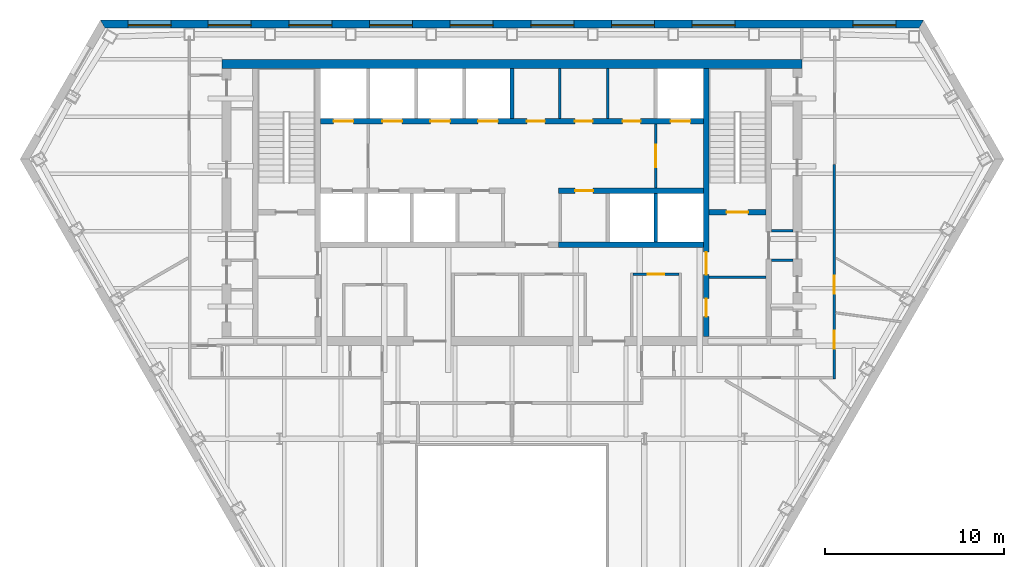
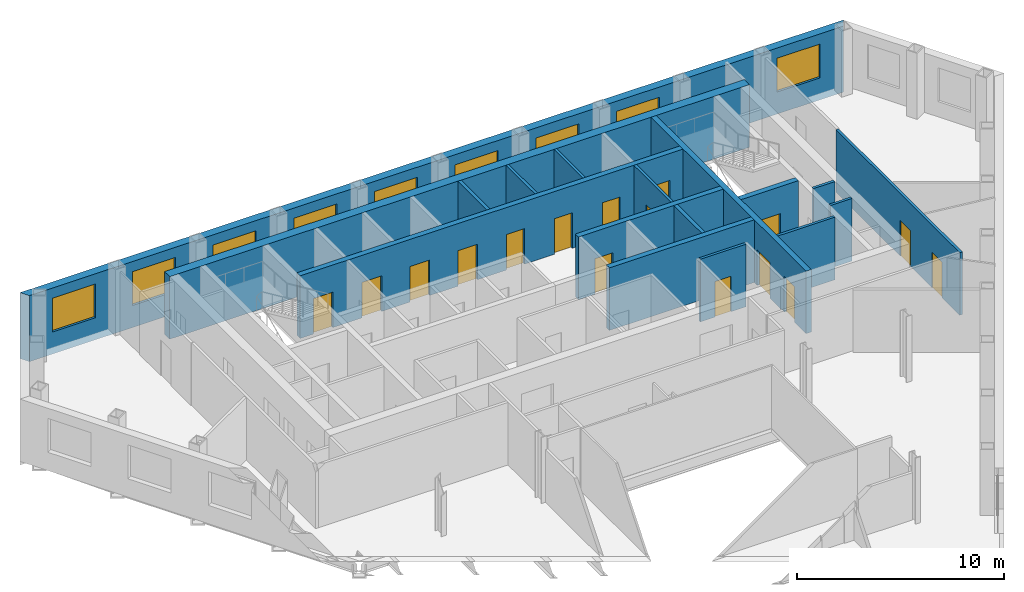
# One storey, part 7 of 11: 17 walls, 16 doors, 9 windows, 25 openings.
"""IFC4 building model written with IfcOpenShell, lengths in metres."""

from ifc_helpers import new_model, si_unit, direction, frame, frame_2d, origin, place, context, subcontext, project, spatial, polyline, rectangle, outline, extrude, material, layer, layer_set, type_object, element, fill, save


model = new_model("IFC4")

# Units and contexts
model_context = context("Model", 3, precision=1e-05, world=origin(), true_north=direction((0.0, 1.0)))
body_context = subcontext(model_context, "Body", "Model", "MODEL_VIEW")
ifc_project = project(units=[si_unit("LENGTHUNIT", "METRE"), si_unit("AREAUNIT", "SQUARE_METRE"), si_unit("VOLUMEUNIT", "CUBIC_METRE"), si_unit("PLANEANGLEUNIT", "RADIAN"), si_unit("MASSUNIT", "GRAM", prefix="KILO")], contexts=[model_context])

# Site, building, storey
site_placement = place(None, origin())
site = spatial("IfcSite", under=ifc_project, at=site_placement, CompositionType="ELEMENT")
building_placement = place(site_placement, origin())
building = spatial("IfcBuilding", under=site, at=building_placement, Name="Njiva Tower", CompositionType="ELEMENT")
storey_placement = place(building_placement, frame((0.0, 0.0, 139.8)))
storey = spatial("IfcBuildingStorey", under=building, at=storey_placement, Name="L29", CompositionType="ELEMENT", Elevation=139.8)

# Walls
ifc_material_1 = material(Name="Blockwork", Category="masonry")
ifc_layer_1 = layer(ifc_material_1, 0.15)
ifc_layer_set_1 = layer_set([ifc_layer_1], Name="Blockwork")
wall_type_1 = type_object("IfcWallType", Name="WT1 Compartment partition 150", PredefinedType="PARTITIONING", material=ifc_layer_set_1)
for number, where, z_axis, x_axis, name in (
    (1, (2.675, 14.7, 0.0), (0.0, 0.0, 1.0), (0.0, 1.0, 0.0), "Partition CN5"),
    (2, (5.35, 14.7, 0.0), (0.0, 0.0, 1.0), (0.0, 1.0, 0.0), "Partition CN6"),
):
    element("IfcWall", number, at=place(storey_placement, frame(where, z_axis=z_axis, x_axis=x_axis)), inside=storey, type_object=wall_type_1, Name=name, PredefinedType="PARTITIONING", context=body_context, shape_type="SweptSolid", body=[
        extrude(rectangle(XDim=2.8, YDim=0.15, at=frame_2d((1.4, 0.0))), origin(), (0.0, 0.0, 1.0), 3.7),
    ])
wall_1_placement = place(storey_placement, frame((11.0, 5.825, 0.0), z_axis=(0.0, 0.0, 1.0), x_axis=(1.0, 0.0, 0.0)))
element("IfcWall", 3, at=wall_1_placement, inside=storey, type_object=wall_type_1, Name="Room wall B", PredefinedType="PARTITIONING", context=body_context, shape_type="SweptSolid", body=[
    extrude(rectangle(XDim=3.2, YDim=0.15, at=frame_2d((1.6, 0.0))), origin(), (0.0, 0.0, 1.0), 3.7),
])

# Wall, opening, door
wall_2_placement = place(storey_placement, frame((6.775, 6.0, 0.0), z_axis=(0.0, 0.0, 1.0), x_axis=(1.0, 0.0, 0.0)))
wall_2 = element("IfcWall", 4, at=wall_2_placement, inside=storey, type_object=wall_type_1, Name="Information office wall north", PredefinedType="PARTITIONING", context=body_context, shape_type="SweptSolid", body=[
    extrude(rectangle(XDim=2.55, YDim=0.15, at=frame_2d((1.275, 0.0))), origin(), (0.0, 0.0, 1.0), 3.7),
])
opening_1_placement = place(wall_2_placement, frame((0.825, 0.0, 0.0)))
opening_1 = element("IfcOpeningElement", 5, at=opening_1_placement, cuts=wall_2, Name="Opening S10-D937", PredefinedType="OPENING", context=body_context, shape_type="SweptSolid", body=[
    extrude(rectangle(XDim=0.9, YDim=2.1, at=frame_2d((0.45, 1.05))), frame((0.0, 0.085, 0.0), z_axis=(0.0, -1.0, 0.0), x_axis=(1.0, 0.0, 0.0)), (0.0, 0.0, 1.0), 0.17),
])
ifc_material_2 = material(Name="Steel fire door, painted", Category="steel")
door_type_1 = type_object("IfcDoorType", Name="D6 Fire-rated door 900x2100", OperationType="SINGLE_SWING_LEFT", PredefinedType="DOOR", material=ifc_material_2)
door_1_placement = place(opening_1_placement, origin())
door_1 = element("IfcDoor", 6, at=door_1_placement, inside=storey, type_object=door_type_1, Name="Information office door", OperationType="SINGLE_SWING_RIGHT", OverallHeight=2.1, OverallWidth=0.9, PredefinedType="DOOR", context=body_context, shape_type="SweptSolid", body=[
    extrude(rectangle(XDim=0.9, YDim=2.1, at=frame_2d((0.45, 1.05))), frame((0.0, 0.025, 0.0), z_axis=(0.0, -1.0, 0.0), x_axis=(1.0, 0.0, 0.0)), (0.0, 0.0, 1.0), 0.05),
])
fill(opening_1, door_1)

# Wall, openings, doors
ifc_material_3 = material(Name="Concrete C40/50", Category="concrete")
ifc_layer_2 = layer(ifc_material_3, 0.3)
ifc_layer_set_2 = layer_set([ifc_layer_2], Name="Concrete C40/50")
wall_type_2 = type_object("IfcWallType", Name="WT10 Stair enclosure wall 300", PredefinedType="SHEAR", material=ifc_layer_set_2)
wall_3_placement = place(storey_placement, frame((10.85, 2.5, 0.0), z_axis=(0.0, 0.0, 1.0), x_axis=(0.0, 1.0, 0.0)))
wall_3 = element("IfcWall", 7, at=wall_3_placement, inside=storey, type_object=wall_type_2, Name="Stair wall east inner", PredefinedType="SHEAR", context=body_context, shape_type="SweptSolid", body=[
    extrude(rectangle(XDim=15.0, YDim=0.3, at=frame_2d((7.5, 0.0))), origin(), (0.0, 0.0, 1.0), 3.7),
])
opening_2_placement = place(wall_3_placement, frame((3.475, 0.0, 0.0)))
opening_2 = element("IfcOpeningElement", 8, at=opening_2_placement, cuts=wall_3, Name="Opening S10-D920", PredefinedType="OPENING", context=body_context, shape_type="SweptSolid", body=[
    extrude(rectangle(XDim=1.25, YDim=2.1, at=frame_2d((0.625, 1.05))), frame((0.0, 0.16, 0.0), z_axis=(0.0, -1.0, 0.0), x_axis=(1.0, 0.0, 0.0)), (0.0, 0.0, 1.0), 0.32),
])
opening_3_placement = place(wall_3_placement, frame((1.125, 0.0, 0.0)))
opening_3 = element("IfcOpeningElement", 9, at=opening_3_placement, cuts=wall_3, Name="Opening S10-D921", PredefinedType="OPENING", context=body_context, shape_type="SweptSolid", body=[
    extrude(rectangle(XDim=1.0, YDim=2.1, at=frame_2d((0.5, 1.05))), frame((0.0, 0.16, 0.0), z_axis=(0.0, -1.0, 0.0), x_axis=(1.0, 0.0, 0.0)), (0.0, 0.0, 1.0), 0.32),
])
ifc_material_4 = material(Name="Steel door, painted", Category="steel")
door_type_2 = type_object("IfcDoorType", Name="D5 Steel door 1000x2100", OperationType="SINGLE_SWING_LEFT", PredefinedType="DOOR", material=ifc_material_4)
door_2_placement = place(opening_3_placement, origin())
door_2 = element("IfcDoor", 10, at=door_2_placement, inside=storey, type_object=door_type_2, Name="Meeting room door", OperationType="SINGLE_SWING_LEFT", OverallHeight=2.1, OverallWidth=1.0, PredefinedType="DOOR", context=body_context, shape_type="SweptSolid", body=[
    extrude(rectangle(XDim=1.0, YDim=2.1, at=frame_2d((0.5, 1.05))), frame((0.0, 0.025, 0.0), z_axis=(0.0, -1.0, 0.0), x_axis=(1.0, 0.0, 0.0)), (0.0, 0.0, 1.0), 0.05),
])
fill(opening_3, door_2)
ifc_material_5 = material(Name="Glazed steel fire door", Category="steel")
door_type_3 = type_object("IfcDoorType", Name="D8 Vestibule corridor door 1250x2100 glazed", OperationType="SINGLE_SWING_LEFT", PredefinedType="DOOR", material=ifc_material_5)
door_3_placement = place(opening_2_placement, origin())
door_3 = element("IfcDoor", 11, at=door_3_placement, inside=storey, type_object=door_type_3, Name="Stair vestibule corridor door", OperationType="SINGLE_SWING_RIGHT", OverallHeight=2.1, OverallWidth=1.25, PredefinedType="DOOR", context=body_context, shape_type="SweptSolid", body=[
    extrude(rectangle(XDim=1.25, YDim=2.1, at=frame_2d((0.625, 1.05))), frame((0.0, 0.025, 0.0), z_axis=(0.0, -1.0, 0.0), x_axis=(1.0, 0.0, 0.0)), (0.0, 0.0, 1.0), 0.05),
])
fill(opening_2, door_3)

# Wall, opening, door
wall_4_placement = place(storey_placement, frame((11.0, 9.45, 0.0), z_axis=(0.0, 0.0, 1.0), x_axis=(1.0, 0.0, 0.0)))
wall_4 = element("IfcWall", 12, at=wall_4_placement, inside=storey, type_object=wall_type_2, Name="Stair B south wall", PredefinedType="SHEAR", context=body_context, shape_type="SweptSolid", body=[
    extrude(rectangle(XDim=3.2, YDim=0.3, at=frame_2d((1.6, 0.0))), origin(), (0.0, 0.0, 1.0), 3.7),
])
opening_4_placement = place(wall_4_placement, frame((1.0, 0.0, 0.0)))
opening_4 = element("IfcOpeningElement", 13, at=opening_4_placement, cuts=wall_4, Name="Opening S10-D919", PredefinedType="OPENING", context=body_context, shape_type="SweptSolid", body=[
    extrude(rectangle(XDim=1.2, YDim=2.1, at=frame_2d((0.6, 1.05))), frame((0.0, 0.16, 0.0), z_axis=(0.0, -1.0, 0.0), x_axis=(1.0, 0.0, 0.0)), (0.0, 0.0, 1.0), 0.32),
])
door_type_4 = type_object("IfcDoorType", Name="D7 Stair vestibule door 1200x2100 glazed", OperationType="SINGLE_SWING_LEFT", PredefinedType="DOOR", material=ifc_material_5)
door_4_placement = place(opening_4_placement, origin())
door_4 = element("IfcDoor", 14, at=door_4_placement, inside=storey, type_object=door_type_4, Name="Stair B door", OperationType="SINGLE_SWING_LEFT", OverallHeight=2.1, OverallWidth=1.2, PredefinedType="DOOR", context=body_context, shape_type="SweptSolid", body=[
    extrude(rectangle(XDim=1.2, YDim=2.1, at=frame_2d((0.6, 1.05))), frame((0.0, 0.025, 0.0), z_axis=(0.0, -1.0, 0.0), x_axis=(1.0, 0.0, 0.0)), (0.0, 0.0, 1.0), 0.05),
])
fill(opening_4, door_4)

# Wall
ifc_material_6 = material(Name="Concrete C60/75", Category="concrete")
ifc_layer_3 = layer(ifc_material_6, 0.5)
ifc_layer_set_3 = layer_set([ifc_layer_3], Name="Concrete C60/75")
wall_type_3 = type_object("IfcWallType", Name="WT13 Core wall 500", PredefinedType="SHEAR", material=ifc_layer_set_3)
wall_5_placement = place(storey_placement, frame((-16.2, 17.75, 0.0), z_axis=(0.0, 0.0, 1.0), x_axis=(1.0, 0.0, 0.0)))
element("IfcWall", 15, at=wall_5_placement, inside=storey, type_object=wall_type_3, Name="Core wall north", PredefinedType="SHEAR", context=body_context, shape_type="SweptSolid", body=[
    extrude(rectangle(XDim=32.4, YDim=0.5, at=frame_2d((16.2, 0.0))), origin(), (0.0, 0.0, 1.0), 3.7),
])

# Wall, opening, door
ifc_layer_4 = layer(ifc_material_1, 0.15)
ifc_layer_set_4 = layer_set([ifc_layer_4], Name="Blockwork")
wall_type_4 = type_object("IfcWallType", Name="WT2 Lobby partition 150", PredefinedType="PARTITIONING", material=ifc_layer_set_4)
wall_6_placement = place(storey_placement, frame((8.025, 10.8, 0.0), z_axis=(0.0, 0.0, 1.0), x_axis=(0.0, 1.0, 0.0)))
wall_6 = element("IfcWall", 16, at=wall_6_placement, inside=storey, type_object=wall_type_4, Name="Firefighting lobby wall B", PredefinedType="PARTITIONING", context=body_context, shape_type="SweptSolid", body=[
    extrude(rectangle(XDim=3.6, YDim=0.15, at=frame_2d((1.8, 0.0))), origin(), (0.0, 0.0, 1.0), 3.7),
])
opening_5_placement = place(wall_6_placement, frame((1.175, 0.0, 0.0)))
opening_5 = element("IfcOpeningElement", 17, at=opening_5_placement, cuts=wall_6, Name="Opening S10-D918", PredefinedType="OPENING", context=body_context, shape_type="SweptSolid", body=[
    extrude(rectangle(XDim=1.25, YDim=2.1, at=frame_2d((0.625, 1.05))), frame((0.0, 0.085, 0.0), z_axis=(0.0, -1.0, 0.0), x_axis=(1.0, 0.0, 0.0)), (0.0, 0.0, 1.0), 0.17),
])
door_5_placement = place(opening_5_placement, origin())
door_5 = element("IfcDoor", 18, at=door_5_placement, inside=storey, type_object=door_type_3, Name="Stair vestibule corridor door", OperationType="SINGLE_SWING_LEFT", OverallHeight=2.1, OverallWidth=1.25, PredefinedType="DOOR", context=body_context, shape_type="SweptSolid", body=[
    extrude(rectangle(XDim=1.25, YDim=2.1, at=frame_2d((0.625, 1.05))), frame((0.0, 0.025, 0.0), z_axis=(0.0, -1.0, 0.0), x_axis=(1.0, 0.0, 0.0)), (0.0, 0.0, 1.0), 0.05),
])
fill(opening_5, door_5)

# Wall, openings, doors
ifc_material_7 = material(Name="Gypsum board on steel studs", Category="gypsum")
ifc_layer_5 = layer(ifc_material_7, 0.15)
ifc_layer_set_5 = layer_set([ifc_layer_5], Name="Gypsum board on steel studs")
wall_type_5 = type_object("IfcWallType", Name="WT21 Compartment wall 150", PredefinedType="PARTITIONING", material=ifc_layer_set_5)
wall_7_placement = place(storey_placement, frame((18.0, 0.125, 0.0), z_axis=(0.0, 0.0, 1.0), x_axis=(0.000166638891, 0.999999986116, 0.0)))
wall_7 = element("IfcWall", 19, at=wall_7_placement, inside=storey, type_object=wall_type_5, Name="Partition S10-P028", PredefinedType="PARTITIONING", context=body_context, shape_type="SweptSolid", body=[
    extrude(rectangle(XDim=12.002, YDim=0.15, at=frame_2d((6.001, 0.0))), origin(), (0.0, 0.0, 1.0), 3.7),
])
opening_6_placement = place(wall_7_placement, frame((1.707, 0.0, 0.0)))
opening_6 = element("IfcOpeningElement", 20, at=opening_6_placement, cuts=wall_7, Name="Opening S10-D015", PredefinedType="OPENING", context=body_context, shape_type="SweptSolid", body=[
    extrude(rectangle(XDim=1.0, YDim=2.1, at=frame_2d((0.5, 1.05))), frame((0.0, 0.085, 0.0), z_axis=(0.0, -1.0, 0.0), x_axis=(1.0, 0.0, 0.0)), (0.0, 0.0, 1.0), 0.17),
])
opening_7_placement = place(wall_7_placement, frame((4.78, 0.0, 0.0)))
opening_7 = element("IfcOpeningElement", 21, at=opening_7_placement, cuts=wall_7, Name="Opening S10-D016", PredefinedType="OPENING", context=body_context, shape_type="SweptSolid", body=[
    extrude(rectangle(XDim=1.0, YDim=2.1, at=frame_2d((0.5, 1.05))), frame((0.0, 0.085, 0.0), z_axis=(0.0, -1.0, 0.0), x_axis=(1.0, 0.0, 0.0)), (0.0, 0.0, 1.0), 0.17),
])
ifc_material_8 = material(Name="Steel fire door set", Category="steel")
door_type_5 = type_object("IfcDoorType", Name="D37 Fire door 1000x2100", OperationType="SINGLE_SWING_LEFT", PredefinedType="DOOR", material=ifc_material_8)
door_6_placement = place(opening_6_placement, origin())
door_6 = element("IfcDoor", 22, at=door_6_placement, inside=storey, type_object=door_type_5, Name="Door S10-D015", OperationType="SINGLE_SWING_LEFT", OverallHeight=2.1, OverallWidth=1.0, PredefinedType="DOOR", context=body_context, shape_type="SweptSolid", body=[
    extrude(rectangle(XDim=1.0, YDim=2.1, at=frame_2d((0.5, 1.05))), frame((0.0, 0.025, 0.0), z_axis=(0.0, -1.0, 0.0), x_axis=(1.0, 0.0, 0.0)), (0.0, 0.0, 1.0), 0.05),
])
fill(opening_6, door_6)
door_7_placement = place(opening_7_placement, origin())
door_7 = element("IfcDoor", 23, at=door_7_placement, inside=storey, type_object=door_type_5, Name="Door S10-D016", OperationType="SINGLE_SWING_LEFT", OverallHeight=2.1, OverallWidth=1.0, PredefinedType="DOOR", context=body_context, shape_type="SweptSolid", body=[
    extrude(rectangle(XDim=1.0, YDim=2.1, at=frame_2d((0.5, 1.05))), frame((0.0, 0.025, 0.0), z_axis=(0.0, -1.0, 0.0), x_axis=(1.0, 0.0, 0.0)), (0.0, 0.0, 1.0), 0.05),
])
fill(opening_7, door_7)

# Walls
ifc_layer_6 = layer(ifc_material_1, 0.15)
ifc_layer_set_6 = layer_set([ifc_layer_6], Name="Blockwork")
wall_type_6 = type_object("IfcWallType", Name="WT4 Stair partition 150", PredefinedType="PARTITIONING", material=ifc_layer_set_6)
for number, where, z_axis, x_axis, name in (
    (24, (14.5, 6.775, 0.0), (0.0, 0.0, 1.0), (1.0, 0.0, 0.0), "Stair B exit passage wall south"),
    (25, (14.5, 8.425, 0.0), (0.0, 0.0, 1.0), (1.0, 0.0, 0.0), "Stair B exit passage wall north"),
):
    element("IfcWall", number, at=place(storey_placement, frame(where, z_axis=z_axis, x_axis=x_axis)), inside=storey, type_object=wall_type_6, Name=name, PredefinedType="PARTITIONING", context=body_context, shape_type="SweptSolid", body=[
        extrude(rectangle(XDim=1.2, YDim=0.15, at=frame_2d((0.6, 0.0))), origin(), (0.0, 0.0, 1.0), 3.7),
    ])
ifc_layer_7 = layer(ifc_material_3, 0.2)
ifc_layer_set_7 = layer_set([ifc_layer_7], Name="Concrete C40/50")
wall_type_7 = type_object("IfcWallType", Name="WT6 Lift shaft wall 200", PredefinedType="SHEAR", material=ifc_layer_set_7)
wall_8_placement = place(storey_placement, frame((0.0, 14.7, 0.0), z_axis=(0.0, 0.0, 1.0), x_axis=(0.0, 1.0, 0.0)))
element("IfcWall", 26, at=wall_8_placement, inside=storey, type_object=wall_type_7, Name="Shaft wall CN4", PredefinedType="SHEAR", context=body_context, shape_type="SweptSolid", body=[
    extrude(rectangle(XDim=2.8, YDim=0.2, at=frame_2d((1.4, 0.0))), origin(), (0.0, 0.0, 1.0), 3.7),
])
wall_9_placement = place(storey_placement, frame((8.0333, 7.8, 0.0), z_axis=(0.0, 0.0, 1.0), x_axis=(0.0, 1.0, 0.0)))
element("IfcWall", 27, at=wall_9_placement, inside=storey, type_object=wall_type_7, Name="Shaft wall CS7", PredefinedType="SHEAR", context=body_context, shape_type="SweptSolid", body=[
    extrude(rectangle(XDim=2.7, YDim=0.2, at=frame_2d((1.35, 0.0))), origin(), (0.0, 0.0, 1.0), 3.7),
])

# Wall, openings, doors
ifc_layer_8 = layer(ifc_material_3, 0.3)
ifc_layer_set_8 = layer_set([ifc_layer_8], Name="Concrete C40/50")
wall_type_8 = type_object("IfcWallType", Name="WT7 Lift shaft wall 300", PredefinedType="SHEAR", material=ifc_layer_set_8)
wall_10_placement = place(storey_placement, frame((-10.7, 14.55, 0.0), z_axis=(0.0, 0.0, 1.0), x_axis=(1.0, 0.0, 0.0)))
wall_10 = element("IfcWall", 28, at=wall_10_placement, inside=storey, type_object=wall_type_8, Name="Shaft wall north row lobby side", PredefinedType="SHEAR", context=body_context, shape_type="SweptSolid", body=[
    extrude(rectangle(XDim=21.4, YDim=0.3, at=frame_2d((10.7, 0.0))), origin(), (0.0, 0.0, 1.0), 3.7),
])
opening_8_placement = place(wall_10_placement, frame((0.7375, 0.0, 0.0)))
opening_8 = element("IfcOpeningElement", 29, at=opening_8_placement, cuts=wall_10, Name="Opening S10-D901", PredefinedType="OPENING", context=body_context, shape_type="SweptSolid", body=[
    extrude(rectangle(XDim=1.1, YDim=2.1, at=frame_2d((0.55, 1.05))), frame((0.0, 0.16, 0.0), z_axis=(0.0, -1.0, 0.0), x_axis=(1.0, 0.0, 0.0)), (0.0, 0.0, 1.0), 0.32),
])
opening_9_placement = place(wall_10_placement, frame((3.4625, 0.0, 0.0)))
opening_9 = element("IfcOpeningElement", 30, at=opening_9_placement, cuts=wall_10, Name="Opening S10-D902", PredefinedType="OPENING", context=body_context, shape_type="SweptSolid", body=[
    extrude(rectangle(XDim=1.1, YDim=2.1, at=frame_2d((0.55, 1.05))), frame((0.0, 0.16, 0.0), z_axis=(0.0, -1.0, 0.0), x_axis=(1.0, 0.0, 0.0)), (0.0, 0.0, 1.0), 0.32),
])
opening_10_placement = place(wall_10_placement, frame((6.1375, 0.0, 0.0)))
opening_10 = element("IfcOpeningElement", 31, at=opening_10_placement, cuts=wall_10, Name="Opening S10-D903", PredefinedType="OPENING", context=body_context, shape_type="SweptSolid", body=[
    extrude(rectangle(XDim=1.1, YDim=2.1, at=frame_2d((0.55, 1.05))), frame((0.0, 0.16, 0.0), z_axis=(0.0, -1.0, 0.0), x_axis=(1.0, 0.0, 0.0)), (0.0, 0.0, 1.0), 0.32),
])
opening_11_placement = place(wall_10_placement, frame((8.8125, 0.0, 0.0)))
opening_11 = element("IfcOpeningElement", 32, at=opening_11_placement, cuts=wall_10, Name="Opening S10-D904", PredefinedType="OPENING", context=body_context, shape_type="SweptSolid", body=[
    extrude(rectangle(XDim=1.1, YDim=2.1, at=frame_2d((0.55, 1.05))), frame((0.0, 0.16, 0.0), z_axis=(0.0, -1.0, 0.0), x_axis=(1.0, 0.0, 0.0)), (0.0, 0.0, 1.0), 0.32),
])
opening_12_placement = place(wall_10_placement, frame((19.5625, 0.0, 0.0)))
opening_12 = element("IfcOpeningElement", 33, at=opening_12_placement, cuts=wall_10, Name="Opening S10-D905", PredefinedType="OPENING", context=body_context, shape_type="SweptSolid", body=[
    extrude(rectangle(XDim=1.1, YDim=2.1, at=frame_2d((0.55, 1.05))), frame((0.0, 0.16, 0.0), z_axis=(0.0, -1.0, 0.0), x_axis=(1.0, 0.0, 0.0)), (0.0, 0.0, 1.0), 0.32),
])
opening_13_placement = place(wall_10_placement, frame((11.5375, 0.0, 0.0)))
opening_13 = element("IfcOpeningElement", 34, at=opening_13_placement, cuts=wall_10, Name="Opening S10-D909", PredefinedType="OPENING", context=body_context, shape_type="SweptSolid", body=[
    extrude(rectangle(XDim=1.0, YDim=2.1, at=frame_2d((0.5, 1.05))), frame((0.0, 0.16, 0.0), z_axis=(0.0, -1.0, 0.0), x_axis=(1.0, 0.0, 0.0)), (0.0, 0.0, 1.0), 0.32),
])
opening_14_placement = place(wall_10_placement, frame((14.2125, 0.0, 0.0)))
opening_14 = element("IfcOpeningElement", 35, at=opening_14_placement, cuts=wall_10, Name="Opening S10-D910", PredefinedType="OPENING", context=body_context, shape_type="SweptSolid", body=[
    extrude(rectangle(XDim=1.0, YDim=2.1, at=frame_2d((0.5, 1.05))), frame((0.0, 0.16, 0.0), z_axis=(0.0, -1.0, 0.0), x_axis=(1.0, 0.0, 0.0)), (0.0, 0.0, 1.0), 0.32),
])
opening_15_placement = place(wall_10_placement, frame((16.8875, 0.0, 0.0)))
opening_15 = element("IfcOpeningElement", 36, at=opening_15_placement, cuts=wall_10, Name="Opening S10-D911", PredefinedType="OPENING", context=body_context, shape_type="SweptSolid", body=[
    extrude(rectangle(XDim=1.0, YDim=2.1, at=frame_2d((0.5, 1.05))), frame((0.0, 0.16, 0.0), z_axis=(0.0, -1.0, 0.0), x_axis=(1.0, 0.0, 0.0)), (0.0, 0.0, 1.0), 0.32),
])
door_8_placement = place(opening_13_placement, origin())
door_8 = element("IfcDoor", 37, at=door_8_placement, inside=storey, type_object=door_type_2, Name="Business centre door", OperationType="SINGLE_SWING_LEFT", OverallHeight=2.1, OverallWidth=1.0, PredefinedType="DOOR", context=body_context, shape_type="SweptSolid", body=[
    extrude(rectangle(XDim=1.0, YDim=2.1, at=frame_2d((0.5, 1.05))), frame((0.0, 0.025, 0.0), z_axis=(0.0, -1.0, 0.0), x_axis=(1.0, 0.0, 0.0)), (0.0, 0.0, 1.0), 0.05),
])
fill(opening_13, door_8)
door_9_placement = place(opening_14_placement, origin())
door_9 = element("IfcDoor", 38, at=door_9_placement, inside=storey, type_object=door_type_2, Name="Meeting room door", OperationType="SINGLE_SWING_LEFT", OverallHeight=2.1, OverallWidth=1.0, PredefinedType="DOOR", context=body_context, shape_type="SweptSolid", body=[
    extrude(rectangle(XDim=1.0, YDim=2.1, at=frame_2d((0.5, 1.05))), frame((0.0, 0.025, 0.0), z_axis=(0.0, -1.0, 0.0), x_axis=(1.0, 0.0, 0.0)), (0.0, 0.0, 1.0), 0.05),
])
fill(opening_14, door_9)
door_10_placement = place(opening_15_placement, origin())
door_10 = element("IfcDoor", 39, at=door_10_placement, inside=storey, type_object=door_type_2, Name="Breakout room door", OperationType="SINGLE_SWING_LEFT", OverallHeight=2.1, OverallWidth=1.0, PredefinedType="DOOR", context=body_context, shape_type="SweptSolid", body=[
    extrude(rectangle(XDim=1.0, YDim=2.1, at=frame_2d((0.5, 1.05))), frame((0.0, 0.025, 0.0), z_axis=(0.0, -1.0, 0.0), x_axis=(1.0, 0.0, 0.0)), (0.0, 0.0, 1.0), 0.05),
])
fill(opening_15, door_10)
ifc_material_9 = material(Name="Stainless steel sliding door", Category="steel")
door_type_6 = type_object("IfcDoorType", Name="LD Lift landing door 1100x2100", OperationType="SLIDING_TO_LEFT", PredefinedType="DOOR", material=ifc_material_9)
door_11_placement = place(opening_8_placement, origin())
door_11 = element("IfcDoor", 40, at=door_11_placement, inside=storey, type_object=door_type_6, Name="Lift landing door FF1", OperationType="SLIDING_TO_LEFT", OverallHeight=2.1, OverallWidth=1.1, PredefinedType="DOOR", context=body_context, shape_type="SweptSolid", body=[
    extrude(rectangle(XDim=1.1, YDim=2.1, at=frame_2d((0.55, 1.05))), frame((0.0, 0.025, 0.0), z_axis=(0.0, -1.0, 0.0), x_axis=(1.0, 0.0, 0.0)), (0.0, 0.0, 1.0), 0.05),
])
fill(opening_8, door_11)
door_12_placement = place(opening_9_placement, origin())
door_12 = element("IfcDoor", 41, at=door_12_placement, inside=storey, type_object=door_type_6, Name="Lift landing door MB4", OperationType="SLIDING_TO_LEFT", OverallHeight=2.1, OverallWidth=1.1, PredefinedType="DOOR", context=body_context, shape_type="SweptSolid", body=[
    extrude(rectangle(XDim=1.1, YDim=2.1, at=frame_2d((0.55, 1.05))), frame((0.0, 0.025, 0.0), z_axis=(0.0, -1.0, 0.0), x_axis=(1.0, 0.0, 0.0)), (0.0, 0.0, 1.0), 0.05),
])
fill(opening_9, door_12)
door_13_placement = place(opening_10_placement, origin())
door_13 = element("IfcDoor", 42, at=door_13_placement, inside=storey, type_object=door_type_6, Name="Lift landing door MB5", OperationType="SLIDING_TO_LEFT", OverallHeight=2.1, OverallWidth=1.1, PredefinedType="DOOR", context=body_context, shape_type="SweptSolid", body=[
    extrude(rectangle(XDim=1.1, YDim=2.1, at=frame_2d((0.55, 1.05))), frame((0.0, 0.025, 0.0), z_axis=(0.0, -1.0, 0.0), x_axis=(1.0, 0.0, 0.0)), (0.0, 0.0, 1.0), 0.05),
])
fill(opening_10, door_13)
door_14_placement = place(opening_11_placement, origin())
door_14 = element("IfcDoor", 43, at=door_14_placement, inside=storey, type_object=door_type_6, Name="Lift landing door MB6", OperationType="SLIDING_TO_LEFT", OverallHeight=2.1, OverallWidth=1.1, PredefinedType="DOOR", context=body_context, shape_type="SweptSolid", body=[
    extrude(rectangle(XDim=1.1, YDim=2.1, at=frame_2d((0.55, 1.05))), frame((0.0, 0.025, 0.0), z_axis=(0.0, -1.0, 0.0), x_axis=(1.0, 0.0, 0.0)), (0.0, 0.0, 1.0), 0.05),
])
fill(opening_11, door_14)
door_15_placement = place(opening_12_placement, origin())
door_15 = element("IfcDoor", 44, at=door_15_placement, inside=storey, type_object=door_type_6, Name="Lift landing door FF2", OperationType="SLIDING_TO_LEFT", OverallHeight=2.1, OverallWidth=1.1, PredefinedType="DOOR", context=body_context, shape_type="SweptSolid", body=[
    extrude(rectangle(XDim=1.1, YDim=2.1, at=frame_2d((0.55, 1.05))), frame((0.0, 0.025, 0.0), z_axis=(0.0, -1.0, 0.0), x_axis=(1.0, 0.0, 0.0)), (0.0, 0.0, 1.0), 0.05),
])
fill(opening_12, door_15)

# Wall, opening, door
wall_11_placement = place(storey_placement, frame((2.6, 10.65, 0.0), z_axis=(0.0, 0.0, 1.0), x_axis=(1.0, 0.0, 0.0)))
wall_11 = element("IfcWall", 45, at=wall_11_placement, inside=storey, type_object=wall_type_8, Name="Shaft wall south row lobby side E", PredefinedType="SHEAR", context=body_context, shape_type="SweptSolid", body=[
    extrude(rectangle(XDim=8.1, YDim=0.3, at=frame_2d((4.05, 0.0))), origin(), (0.0, 0.0, 1.0), 3.7),
])
opening_16_placement = place(wall_11_placement, frame((0.9334, 0.0, 0.0)))
opening_16 = element("IfcOpeningElement", 46, at=opening_16_placement, cuts=wall_11, Name="Opening S10-D913", PredefinedType="OPENING", context=body_context, shape_type="SweptSolid", body=[
    extrude(rectangle(XDim=1.0, YDim=2.1, at=frame_2d((0.5, 1.05))), frame((0.0, 0.16, 0.0), z_axis=(0.0, -1.0, 0.0), x_axis=(1.0, 0.0, 0.0)), (0.0, 0.0, 1.0), 0.32),
])
door_16_placement = place(opening_16_placement, origin())
door_16 = element("IfcDoor", 47, at=door_16_placement, inside=storey, type_object=door_type_2, Name="Reading room door", OperationType="SINGLE_SWING_LEFT", OverallHeight=2.1, OverallWidth=1.0, PredefinedType="DOOR", context=body_context, shape_type="SweptSolid", body=[
    extrude(rectangle(XDim=1.0, YDim=2.1, at=frame_2d((0.5, 1.05))), frame((0.0, 0.025, 0.0), z_axis=(0.0, -1.0, 0.0), x_axis=(1.0, 0.0, 0.0)), (0.0, 0.0, 1.0), 0.05),
])
fill(opening_16, door_16)

# Wall
wall_12_placement = place(storey_placement, frame((2.6, 7.65, 0.0), z_axis=(0.0, 0.0, 1.0), x_axis=(1.0, 0.0, 0.0)))
element("IfcWall", 48, at=wall_12_placement, inside=storey, type_object=wall_type_8, Name="Shaft wall south row back E", PredefinedType="SHEAR", context=body_context, shape_type="SweptSolid", body=[
    extrude(rectangle(XDim=8.1, YDim=0.3, at=frame_2d((4.05, 0.0))), origin(), (0.0, 0.0, 1.0), 3.7),
])

# Wall, openings, windows
ifc_material_10 = material(Name="Brick masonry", Category="masonry")
ifc_layer_9 = layer(ifc_material_10, 0.45)
ifc_layer_set_9 = layer_set([ifc_layer_9], Name="Brick masonry")
wall_type_9 = type_object("IfcWallType", Name="WT90 Brick pier and spandrel wall 450", PredefinedType="SOLIDWALL", material=ifc_layer_set_9)
wall_13_placement = place(storey_placement, frame((22.8751, 19.975, -0.4), z_axis=(0.0, 0.0, 1.0), x_axis=(-1.0, 0.0, 0.0)))
wall_13 = element("IfcWall", 49, at=wall_13_placement, inside=storey, type_object=wall_type_9, Name="Facade wall N", PredefinedType="SOLIDWALL", context=body_context, shape_type="SweptSolid", body=[
    extrude(outline(polyline([(-0.1299, -0.225), (45.8801, -0.225), (45.6203, 0.225), (0.1299, 0.225), (-0.1299, -0.225)])), origin(), (0.0, 0.0, 1.0), 3.9),
])
opening_17_placement = place(wall_13_placement, frame((1.4247, 0.0, 1.3)))
opening_17 = element("IfcOpeningElement", 50, at=opening_17_placement, cuts=wall_13, Name="Opening S10-W01", PredefinedType="OPENING", context=body_context, shape_type="SweptSolid", body=[
    extrude(rectangle(XDim=2.4, YDim=2.0, at=frame_2d((1.2, 1.0))), frame((0.0, 0.235, 0.0), z_axis=(0.0, -1.0, 0.0), x_axis=(1.0, 0.0, 0.0)), (0.0, 0.0, 1.0), 0.47),
])
opening_18_placement = place(wall_13_placement, frame((10.4035, 0.0, 1.3)))
opening_18 = element("IfcOpeningElement", 51, at=opening_18_placement, cuts=wall_13, Name="Opening S10-W02", PredefinedType="OPENING", context=body_context, shape_type="SweptSolid", body=[
    extrude(rectangle(XDim=2.4, YDim=2.0, at=frame_2d((1.2, 1.0))), frame((0.0, 0.235, 0.0), z_axis=(0.0, -1.0, 0.0), x_axis=(1.0, 0.0, 0.0)), (0.0, 0.0, 1.0), 0.47),
])
opening_19_placement = place(wall_13_placement, frame((14.9122, 0.0, 1.3)))
opening_19 = element("IfcOpeningElement", 52, at=opening_19_placement, cuts=wall_13, Name="Opening S10-W03", PredefinedType="OPENING", context=body_context, shape_type="SweptSolid", body=[
    extrude(rectangle(XDim=2.4, YDim=2.0, at=frame_2d((1.2, 1.0))), frame((0.0, 0.235, 0.0), z_axis=(0.0, -1.0, 0.0), x_axis=(1.0, 0.0, 0.0)), (0.0, 0.0, 1.0), 0.47),
])
opening_20_placement = place(wall_13_placement, frame((19.4208, 0.0, 1.3)))
opening_20 = element("IfcOpeningElement", 53, at=opening_20_placement, cuts=wall_13, Name="Opening S10-W04", PredefinedType="OPENING", context=body_context, shape_type="SweptSolid", body=[
    extrude(rectangle(XDim=2.4, YDim=2.0, at=frame_2d((1.2, 1.0))), frame((0.0, 0.235, 0.0), z_axis=(0.0, -1.0, 0.0), x_axis=(1.0, 0.0, 0.0)), (0.0, 0.0, 1.0), 0.47),
])
opening_21_placement = place(wall_13_placement, frame((23.9294, 0.0, 1.3)))
opening_21 = element("IfcOpeningElement", 54, at=opening_21_placement, cuts=wall_13, Name="Opening S10-W05", PredefinedType="OPENING", context=body_context, shape_type="SweptSolid", body=[
    extrude(rectangle(XDim=2.4, YDim=2.0, at=frame_2d((1.2, 1.0))), frame((0.0, 0.235, 0.0), z_axis=(0.0, -1.0, 0.0), x_axis=(1.0, 0.0, 0.0)), (0.0, 0.0, 1.0), 0.47),
])
opening_22_placement = place(wall_13_placement, frame((28.438, 0.0, 1.3)))
opening_22 = element("IfcOpeningElement", 55, at=opening_22_placement, cuts=wall_13, Name="Opening S10-W06", PredefinedType="OPENING", context=body_context, shape_type="SweptSolid", body=[
    extrude(rectangle(XDim=2.4, YDim=2.0, at=frame_2d((1.2, 1.0))), frame((0.0, 0.235, 0.0), z_axis=(0.0, -1.0, 0.0), x_axis=(1.0, 0.0, 0.0)), (0.0, 0.0, 1.0), 0.47),
])
opening_23_placement = place(wall_13_placement, frame((32.9466, 0.0, 1.3)))
opening_23 = element("IfcOpeningElement", 56, at=opening_23_placement, cuts=wall_13, Name="Opening S10-W07", PredefinedType="OPENING", context=body_context, shape_type="SweptSolid", body=[
    extrude(rectangle(XDim=2.4, YDim=2.0, at=frame_2d((1.2, 1.0))), frame((0.0, 0.235, 0.0), z_axis=(0.0, -1.0, 0.0), x_axis=(1.0, 0.0, 0.0)), (0.0, 0.0, 1.0), 0.47),
])
opening_24_placement = place(wall_13_placement, frame((37.4553, 0.0, 1.3)))
opening_24 = element("IfcOpeningElement", 57, at=opening_24_placement, cuts=wall_13, Name="Opening S10-W08", PredefinedType="OPENING", context=body_context, shape_type="SweptSolid", body=[
    extrude(rectangle(XDim=2.4, YDim=2.0, at=frame_2d((1.2, 1.0))), frame((0.0, 0.235, 0.0), z_axis=(0.0, -1.0, 0.0), x_axis=(1.0, 0.0, 0.0)), (0.0, 0.0, 1.0), 0.47),
])
opening_25_placement = place(wall_13_placement, frame((41.9255, 0.0, 1.3)))
opening_25 = element("IfcOpeningElement", 58, at=opening_25_placement, cuts=wall_13, Name="Opening S10-W09", PredefinedType="OPENING", context=body_context, shape_type="SweptSolid", body=[
    extrude(rectangle(XDim=2.4, YDim=2.0, at=frame_2d((1.2, 1.0))), frame((0.0, 0.235, 0.0), z_axis=(0.0, -1.0, 0.0), x_axis=(1.0, 0.0, 0.0)), (0.0, 0.0, 1.0), 0.47),
])
ifc_material_11 = material(Name="Clear glazing in aluminium frame", Category="aluminium")
window_type = type_object("IfcWindowType", Name="W90 Deep-set window 2400x2000", PartitioningType="SINGLE_PANEL", PredefinedType="WINDOW", material=ifc_material_11)
window_1_placement = place(opening_17_placement, origin())
window_1 = element("IfcWindow", 59, at=window_1_placement, inside=storey, type_object=window_type, Name="Window", OverallHeight=2.0, OverallWidth=2.4, PartitioningType="SINGLE_PANEL", PredefinedType="WINDOW", context=body_context, shape_type="SweptSolid", body=[
    extrude(rectangle(XDim=2.4, YDim=2.0, at=frame_2d((1.2, 1.0))), frame((0.0, 0.105, 0.0), z_axis=(0.0, -1.0, 0.0), x_axis=(1.0, 0.0, 0.0)), (0.0, 0.0, 1.0), 0.06),
])
fill(opening_17, window_1)
window_2_placement = place(opening_18_placement, origin())
window_2 = element("IfcWindow", 60, at=window_2_placement, inside=storey, type_object=window_type, Name="Window", OverallHeight=2.0, OverallWidth=2.4, PartitioningType="SINGLE_PANEL", PredefinedType="WINDOW", context=body_context, shape_type="SweptSolid", body=[
    extrude(rectangle(XDim=2.4, YDim=2.0, at=frame_2d((1.2, 1.0))), frame((0.0, 0.105, 0.0), z_axis=(0.0, -1.0, 0.0), x_axis=(1.0, 0.0, 0.0)), (0.0, 0.0, 1.0), 0.06),
])
fill(opening_18, window_2)
window_3_placement = place(opening_19_placement, origin())
window_3 = element("IfcWindow", 61, at=window_3_placement, inside=storey, type_object=window_type, Name="Window", OverallHeight=2.0, OverallWidth=2.4, PartitioningType="SINGLE_PANEL", PredefinedType="WINDOW", context=body_context, shape_type="SweptSolid", body=[
    extrude(rectangle(XDim=2.4, YDim=2.0, at=frame_2d((1.2, 1.0))), frame((0.0, 0.105, 0.0), z_axis=(0.0, -1.0, 0.0), x_axis=(1.0, 0.0, 0.0)), (0.0, 0.0, 1.0), 0.06),
])
fill(opening_19, window_3)
window_4_placement = place(opening_20_placement, origin())
window_4 = element("IfcWindow", 62, at=window_4_placement, inside=storey, type_object=window_type, Name="Window", OverallHeight=2.0, OverallWidth=2.4, PartitioningType="SINGLE_PANEL", PredefinedType="WINDOW", context=body_context, shape_type="SweptSolid", body=[
    extrude(rectangle(XDim=2.4, YDim=2.0, at=frame_2d((1.2, 1.0))), frame((0.0, 0.105, 0.0), z_axis=(0.0, -1.0, 0.0), x_axis=(1.0, 0.0, 0.0)), (0.0, 0.0, 1.0), 0.06),
])
fill(opening_20, window_4)
window_5_placement = place(opening_21_placement, origin())
window_5 = element("IfcWindow", 63, at=window_5_placement, inside=storey, type_object=window_type, Name="Window", OverallHeight=2.0, OverallWidth=2.4, PartitioningType="SINGLE_PANEL", PredefinedType="WINDOW", context=body_context, shape_type="SweptSolid", body=[
    extrude(rectangle(XDim=2.4, YDim=2.0, at=frame_2d((1.2, 1.0))), frame((0.0, 0.105, 0.0), z_axis=(0.0, -1.0, 0.0), x_axis=(1.0, 0.0, 0.0)), (0.0, 0.0, 1.0), 0.06),
])
fill(opening_21, window_5)
window_6_placement = place(opening_22_placement, origin())
window_6 = element("IfcWindow", 64, at=window_6_placement, inside=storey, type_object=window_type, Name="Window", OverallHeight=2.0, OverallWidth=2.4, PartitioningType="SINGLE_PANEL", PredefinedType="WINDOW", context=body_context, shape_type="SweptSolid", body=[
    extrude(rectangle(XDim=2.4, YDim=2.0, at=frame_2d((1.2, 1.0))), frame((0.0, 0.105, 0.0), z_axis=(0.0, -1.0, 0.0), x_axis=(1.0, 0.0, 0.0)), (0.0, 0.0, 1.0), 0.06),
])
fill(opening_22, window_6)
window_7_placement = place(opening_23_placement, origin())
window_7 = element("IfcWindow", 65, at=window_7_placement, inside=storey, type_object=window_type, Name="Window", OverallHeight=2.0, OverallWidth=2.4, PartitioningType="SINGLE_PANEL", PredefinedType="WINDOW", context=body_context, shape_type="SweptSolid", body=[
    extrude(rectangle(XDim=2.4, YDim=2.0, at=frame_2d((1.2, 1.0))), frame((0.0, 0.105, 0.0), z_axis=(0.0, -1.0, 0.0), x_axis=(1.0, 0.0, 0.0)), (0.0, 0.0, 1.0), 0.06),
])
fill(opening_23, window_7)
window_8_placement = place(opening_24_placement, origin())
window_8 = element("IfcWindow", 66, at=window_8_placement, inside=storey, type_object=window_type, Name="Window", OverallHeight=2.0, OverallWidth=2.4, PartitioningType="SINGLE_PANEL", PredefinedType="WINDOW", context=body_context, shape_type="SweptSolid", body=[
    extrude(rectangle(XDim=2.4, YDim=2.0, at=frame_2d((1.2, 1.0))), frame((0.0, 0.105, 0.0), z_axis=(0.0, -1.0, 0.0), x_axis=(1.0, 0.0, 0.0)), (0.0, 0.0, 1.0), 0.06),
])
fill(opening_24, window_8)
window_9_placement = place(opening_25_placement, origin())
window_9 = element("IfcWindow", 67, at=window_9_placement, inside=storey, type_object=window_type, Name="Window", OverallHeight=2.0, OverallWidth=2.4, PartitioningType="SINGLE_PANEL", PredefinedType="WINDOW", context=body_context, shape_type="SweptSolid", body=[
    extrude(rectangle(XDim=2.4, YDim=2.0, at=frame_2d((1.2, 1.0))), frame((0.0, 0.105, 0.0), z_axis=(0.0, -1.0, 0.0), x_axis=(1.0, 0.0, 0.0)), (0.0, 0.0, 1.0), 0.06),
])
fill(opening_25, window_9)

save(model, "model.ifc")
